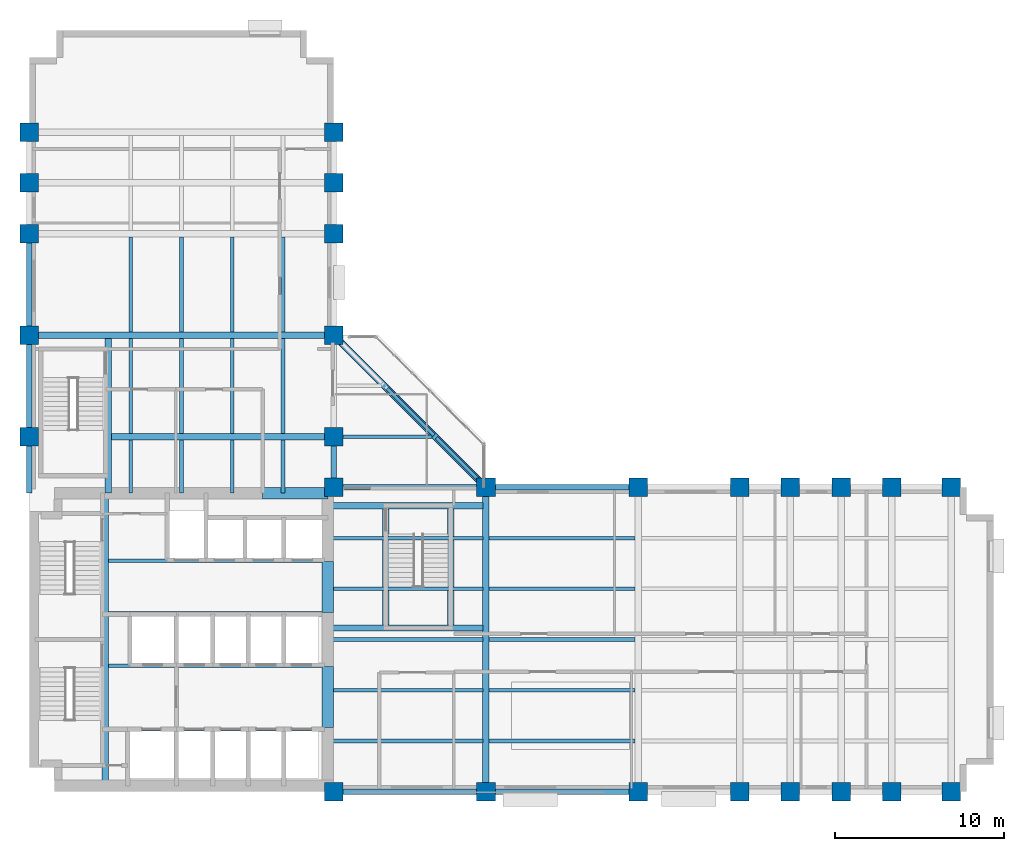
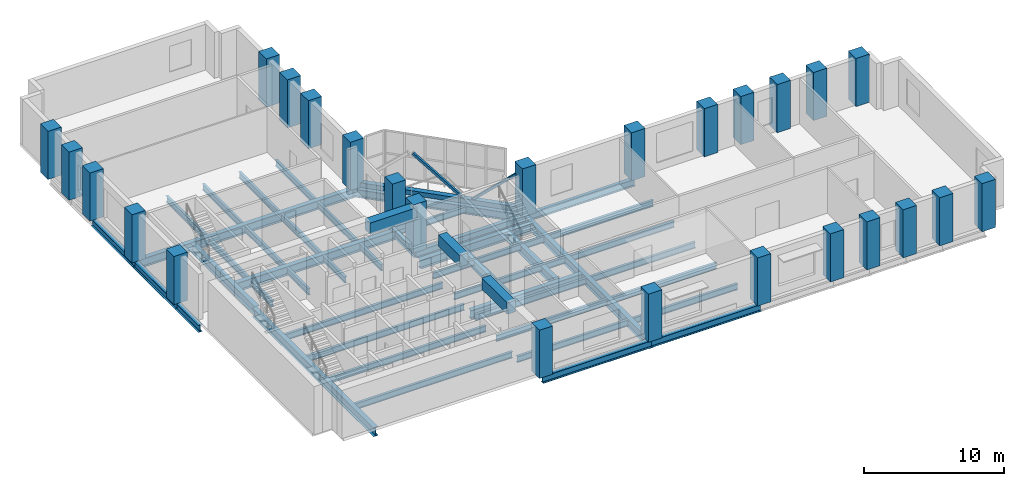
# One storey, part 1 of 10: 48 beams, 26 columns, 3 members.
"""IFC4 building model written with IfcOpenShell, lengths in metres."""

from ifc_helpers import new_model, si_unit, direction, frame, origin, origin_2d, place, context, subcontext, project, spatial, rectangle, hollow_rectangle, i_section, extrude, material, material_profile, profile_set, type_object, element, save


model = new_model("IFC4")

# Units and contexts
model_context = context("Model", 3, precision=1e-05, world=origin(), true_north=direction((0.0, 1.0)))
body_context = subcontext(model_context, "Body", "Model", "MODEL_VIEW")
ifc_project = project(units=[si_unit("LENGTHUNIT", "METRE"), si_unit("AREAUNIT", "SQUARE_METRE"), si_unit("VOLUMEUNIT", "CUBIC_METRE"), si_unit("PLANEANGLEUNIT", "RADIAN"), si_unit("MASSUNIT", "GRAM", prefix="KILO")], contexts=[model_context])

# Site, building, storey
site_placement = place(None, origin())
site = spatial("IfcSite", under=ifc_project, at=site_placement, CompositionType="ELEMENT")
building_placement = place(site_placement, origin())
building = spatial("IfcBuilding", under=site, at=building_placement, Name="Mawjdan Bourse Tower", CompositionType="ELEMENT")
storey_placement = place(building_placement, frame((0.0, 0.0, 89.10009765625)))
storey = spatial("IfcBuildingStorey", under=building, at=storey_placement, Name="L20", CompositionType="ELEMENT", Elevation=89.10009765625)

# Columns
ifc_material_1 = material(Name="Concrete C70/85", Category="concrete")
ifc_material_profile_1 = material_profile(ifc_material_1, rectangle(XDim=1.10009765625, YDim=1.10009765625, at=origin_2d()), Name="RC1100X1100")
ifc_profile_set_1 = profile_set([ifc_material_profile_1], Name="Concrete C70/85")
column_type = type_object("IfcColumnType", Name="COL-RC1100X1100", PredefinedType="COLUMN", material=ifc_profile_set_1)
for number, where, z_axis, x_axis, name in (
    (1, (24.0, 3.0, 0.0), (0.0, 0.0, 1.0), (1.0, 0.0, 0.0), "L20 Structural Column C-X240-Y30"),
    (2, (24.0, 21.0, 0.0), (0.0, 0.0, 1.0), (1.0, 0.0, 0.0), "L20 Structural Column C-X240-Y210"),
    (3, (33.0, 3.0, 0.0), (0.0, 0.0, 1.0), (1.0, 0.0, 0.0), "L20 Structural Column C-X330-Y30"),
    (4, (33.0, 21.0, 0.0), (0.0, 0.0, 1.0), (1.0, 0.0, 0.0), "L20 Structural Column C-X330-Y210"),
    (5, (42.0, 3.0, 0.0), (0.0, 0.0, 1.0), (1.0, 0.0, 0.0), "L20 Structural Column C-X420-Y30"),
    (6, (42.0, 21.0, 0.0), (0.0, 0.0, 1.0), (1.0, 0.0, 0.0), "L20 Structural Column C-X420-Y210"),
    (7, (48.0, 3.0, 0.0), (0.0, 0.0, 1.0), (1.0, 0.0, 0.0), "L20 Structural Column C-X480-Y30"),
    (8, (48.0, 21.0, 0.0), (0.0, 0.0, 1.0), (1.0, 0.0, 0.0), "L20 Structural Column C-X480-Y210"),
    (9, (51.0, 3.0, 0.0), (0.0, 0.0, 1.0), (1.0, 0.0, 0.0), "L20 Structural Column C-X510-Y30"),
    (10, (51.0, 21.0, 0.0), (0.0, 0.0, 1.0), (1.0, 0.0, 0.0), "L20 Structural Column C-X510-Y210"),
    (11, (54.0, 3.0, 0.0), (0.0, 0.0, 1.0), (1.0, 0.0, 0.0), "L20 Structural Column C-X540-Y30"),
    (12, (54.0, 21.0, 0.0), (0.0, 0.0, 1.0), (1.0, 0.0, 0.0), "L20 Structural Column C-X540-Y210"),
    (13, (57.0, 3.0, 0.0), (0.0, 0.0, 1.0), (1.0, 0.0, 0.0), "L20 Structural Column C-X570-Y30"),
    (14, (57.0, 21.0, 0.0), (0.0, 0.0, 1.0), (1.0, 0.0, 0.0), "L20 Structural Column C-X570-Y210"),
    (15, (60.5, 3.0, 0.0), (0.0, 0.0, 1.0), (1.0, 0.0, 0.0), "L20 Structural Column C-X605-Y30"),
    (16, (60.5, 21.0, 0.0), (0.0, 0.0, 1.0), (1.0, 0.0, 0.0), "L20 Structural Column C-X605-Y210"),
    (17, (6.0, 24.0, 0.0), (0.0, 0.0, 1.0), (1.0, 0.0, 0.0), "L20 Structural Column C-X60-Y240"),
    (18, (24.0, 24.0, 0.0), (0.0, 0.0, 1.0), (1.0, 0.0, 0.0), "L20 Structural Column C-X240-Y240"),
    (19, (6.0, 30.0, 0.0), (0.0, 0.0, 1.0), (1.0, 0.0, 0.0), "L20 Structural Column C-X60-Y300"),
    (20, (24.0, 30.0, 0.0), (0.0, 0.0, 1.0), (1.0, 0.0, 0.0), "L20 Structural Column C-X240-Y300"),
    (21, (6.0, 36.0, 0.0), (0.0, 0.0, 1.0), (1.0, 0.0, 0.0), "L20 Structural Column C-X60-Y360"),
    (22, (24.0, 36.0, 0.0), (0.0, 0.0, 1.0), (1.0, 0.0, 0.0), "L20 Structural Column C-X240-Y360"),
    (23, (6.0, 39.0, 0.0), (0.0, 0.0, 1.0), (1.0, 0.0, 0.0), "L20 Structural Column C-X60-Y390"),
    (24, (24.0, 39.0, 0.0), (0.0, 0.0, 1.0), (1.0, 0.0, 0.0), "L20 Structural Column C-X240-Y390"),
    (25, (6.0, 42.0, 0.0), (0.0, 0.0, 1.0), (1.0, 0.0, 0.0), "L20 Structural Column C-X60-Y420"),
    (26, (24.0, 42.0, 0.0), (0.0, 0.0, 1.0), (1.0, 0.0, 0.0), "L20 Structural Column C-X240-Y420"),
):
    element("IfcColumn", number, at=place(storey_placement, frame(where, z_axis=z_axis, x_axis=x_axis)), inside=storey, type_object=column_type, Name=name, PredefinedType="COLUMN", context=body_context, shape_type="SweptSolid", body=[
        extrude(rectangle(XDim=1.10009765625, YDim=1.10009765625, at=origin_2d()), origin(), (0.0, 0.0, 1.0), 4.199951171875),
    ])

# Members
ifc_material_2 = material(Name="Structural Steel S355", Category="steel")
ifc_material_profile_2 = material_profile(ifc_material_2, hollow_rectangle(XDim=0.199951171875, YDim=0.199951171875, WallThickness=0.010009765625, at=origin_2d()), Name="HSS200X200X10")
ifc_profile_set_2 = profile_set([ifc_material_profile_2], Name="Structural Steel S355")
member_type_1 = type_object("IfcMemberType", Name="BRC-HSS200X200X10", PredefinedType="BRACE", material=ifc_profile_set_2)
for number, where, z_axis, x_axis, name in (
    (27, (27.1201171875, 26.8798828125, 3.5498046875), (0.536568841255, -0.536568841255, -0.651296980791), (0.707106781187, 0.707106781187, 0.0), "L20 Atrium Sky Bridge Truss Diagonal 2"),
    (28, (30.1201171875, 23.8798828125, 0.199951171875), (0.536568841255, -0.536568841255, 0.651296980791), (0.707106781187, 0.707106781187, 0.0), "L20 Atrium Sky Bridge Truss Diagonal 3"),
):
    element("IfcMember", number, at=place(storey_placement, frame(where, z_axis=z_axis, x_axis=x_axis)), inside=storey, type_object=member_type_1, Name=name, PredefinedType="BRACE", context=body_context, shape_type="SweptSolid", body=[
        extrude(hollow_rectangle(XDim=0.199951171875, YDim=0.199951171875, WallThickness=0.010009765625, at=origin_2d()), origin(), (0.0, 0.0, 1.0), 5.143310546875),
    ])

# Beam
ifc_material_profile_3 = material_profile(ifc_material_2, i_section(OverallWidth=0.35498046875, OverallDepth=0.696044921875, WebThickness=0.015380859375, FlangeThickness=0.02490234375, FilletRadius=0.019775390625, at=origin_2d()), Name="W27X146")
ifc_profile_set_3 = profile_set([ifc_material_profile_3], Name="Structural Steel S355")
beam_type_1 = type_object("IfcBeamType", Name="BRG-GRD-W27X146", PredefinedType="BEAM", material=ifc_profile_set_3)
beam_1_placement = place(storey_placement, frame((24.0, 30.0, -0.59814453125), z_axis=(0.707106781187, -0.707106781187, 0.0), x_axis=(0.707106781187, 0.707106781187, 0.0)))
element("IfcBeam", 29, at=beam_1_placement, inside=storey, type_object=beam_type_1, Name="L20 Atrium Sky Bridge Diagonal Girder 102", PredefinedType="BEAM", context=body_context, shape_type="SweptSolid", body=[
    extrude(i_section(OverallWidth=0.35498046875, OverallDepth=0.696044921875, WebThickness=0.015380859375, FlangeThickness=0.02490234375, FilletRadius=0.019775390625, at=origin_2d()), origin(), (0.0, 0.0, 1.0), 12.72802734375),
])

# Member
ifc_material_3 = material(Name="Structural Steel S460", Category="steel")
ifc_material_profile_4 = material_profile(ifc_material_3, hollow_rectangle(XDim=0.39990234375, YDim=0.39990234375, WallThickness=0.01611328125, at=origin_2d()), Name="HSS400X400X16")
ifc_profile_set_4 = profile_set([ifc_material_profile_4], Name="Structural Steel S460")
member_type_2 = type_object("IfcMemberType", Name="CHD-HSS400X400X16", PredefinedType="CHORD", material=ifc_profile_set_4)
member_placement = place(storey_placement, frame((24.0, 30.0, 0.199951171875), z_axis=(0.707106781187, -0.707106781187, 0.0), x_axis=(0.707106781187, 0.707106781187, 0.0)))
element("IfcMember", 30, at=member_placement, inside=storey, type_object=member_type_2, Name="L20 Atrium Sky Bridge Truss Bottom Chord", PredefinedType="CHORD", context=body_context, shape_type="SweptSolid", body=[
    extrude(hollow_rectangle(XDim=0.39990234375, YDim=0.39990234375, WallThickness=0.01611328125, at=origin_2d()), origin(), (0.0, 0.0, 1.0), 12.72802734375),
])

# Beams
ifc_material_profile_5 = material_profile(ifc_material_2, i_section(OverallWidth=0.381103515625, OverallDepth=0.77294921875, WebThickness=0.0166015625, FlangeThickness=0.027099609375, FilletRadius=0.021728515625, at=origin_2d()), Name="W30X173")
ifc_profile_set_5 = profile_set([ifc_material_profile_5], Name="Structural Steel S355")
beam_type_2 = type_object("IfcBeamType", Name="GRD-W30X173", PredefinedType="BEAM", material=ifc_profile_set_5)
beam_2_placement = place(storey_placement, frame((10.47998046875, 3.35009765625, -0.63671875), z_axis=(0.0, 1.0, 0.0), x_axis=(-1.0, 0.0, 0.0)))
element("IfcBeam", 31, at=beam_2_placement, inside=storey, type_object=beam_type_2, Name="L20 Core Stair Trimmer Girder 001", PredefinedType="BEAM", context=body_context, shape_type="SweptSolid", body=[
    extrude(i_section(OverallWidth=0.381103515625, OverallDepth=0.77294921875, WebThickness=0.0166015625, FlangeThickness=0.027099609375, FilletRadius=0.021728515625, at=origin_2d()), origin(), (0.0, 0.0, 1.0), 17.2998046875),
])
beam_3_placement = place(storey_placement, frame((33.0, 3.0, -0.63671875), z_axis=(0.0, 1.0, 0.0), x_axis=(-1.0, 0.0, 0.0)))
element("IfcBeam", 32, at=beam_3_placement, inside=storey, type_object=beam_type_2, Name="L20 East Wing Clear-Span Girder 002", PredefinedType="BEAM", context=body_context, shape_type="SweptSolid", body=[
    extrude(i_section(OverallWidth=0.381103515625, OverallDepth=0.77294921875, WebThickness=0.0166015625, FlangeThickness=0.027099609375, FilletRadius=0.021728515625, at=origin_2d()), origin(), (0.0, 0.0, 1.0), 18.0),
])
for number, where, z_axis, x_axis, name in (
    (33, (23.64990234375, 12.679931640625, -0.63671875), (1.0, 0.0, 0.0), (0.0, 1.0, 0.0), "L20 Feature Stair South Trimmer 058"),
    (34, (23.64990234375, 19.919921875, -0.63671875), (1.0, 0.0, 0.0), (0.0, 1.0, 0.0), "L20 Feature Stair North Trimmer 059"),
):
    element("IfcBeam", number, at=place(storey_placement, frame(where, z_axis=z_axis, x_axis=x_axis)), inside=storey, type_object=beam_type_2, Name=name, PredefinedType="BEAM", context=body_context, shape_type="SweptSolid", body=[
        extrude(i_section(OverallWidth=0.381103515625, OverallDepth=0.77294921875, WebThickness=0.0166015625, FlangeThickness=0.027099609375, FilletRadius=0.021728515625, at=origin_2d()), origin(), (0.0, 0.0, 1.0), 9.16162109375),
    ])
for number, where, z_axis, x_axis, name in (
    (35, (27.080078125, 12.868408203125, -0.63671875), (0.0, 1.0, 0.0), (-1.0, 0.0, 0.0), "L20 Feature Stair West Trimmer 060"),
    (36, (30.919921875, 12.868408203125, -0.63671875), (0.0, 1.0, 0.0), (-1.0, 0.0, 0.0), "L20 Feature Stair East Trimmer 061"),
):
    element("IfcBeam", number, at=place(storey_placement, frame(where, z_axis=z_axis, x_axis=x_axis)), inside=storey, type_object=beam_type_2, Name=name, PredefinedType="BEAM", context=body_context, shape_type="SweptSolid", body=[
        extrude(i_section(OverallWidth=0.381103515625, OverallDepth=0.77294921875, WebThickness=0.0166015625, FlangeThickness=0.027099609375, FilletRadius=0.021728515625, at=origin_2d()), origin(), (0.0, 0.0, 1.0), 6.863037109375),
    ])
beam_4_placement = place(storey_placement, frame((10.679931640625, 20.64990234375, -0.63671875), z_axis=(0.0, 1.0, 0.0), x_axis=(-1.0, 0.0, 0.0)))
element("IfcBeam", 37, at=beam_4_placement, inside=storey, type_object=beam_type_2, Name="L20 North Wing Stair Trimmer Girder 066", PredefinedType="BEAM", context=body_context, shape_type="SweptSolid", body=[
    extrude(i_section(OverallWidth=0.381103515625, OverallDepth=0.77294921875, WebThickness=0.0166015625, FlangeThickness=0.027099609375, FilletRadius=0.021728515625, at=origin_2d()), origin(), (0.0, 0.0, 1.0), 9.16162109375),
])
beam_5_placement = place(storey_placement, frame((10.868408203125, 24.0, -0.63671875), z_axis=(1.0, 0.0, 0.0), x_axis=(0.0, 1.0, 0.0)))
element("IfcBeam", 38, at=beam_5_placement, inside=storey, type_object=beam_type_2, Name="L20 North Wing Clear-Span Girder 067", PredefinedType="BEAM", context=body_context, shape_type="SweptSolid", body=[
    extrude(i_section(OverallWidth=0.381103515625, OverallDepth=0.77294921875, WebThickness=0.0166015625, FlangeThickness=0.027099609375, FilletRadius=0.021728515625, at=origin_2d()), origin(), (0.0, 0.0, 1.0), 13.131591796875),
])
beam_6_placement = place(storey_placement, frame((6.0, 30.0, -0.63671875), z_axis=(1.0, 0.0, 0.0), x_axis=(0.0, 1.0, 0.0)))
element("IfcBeam", 39, at=beam_6_placement, inside=storey, type_object=beam_type_2, Name="L20 North Wing Clear-Span Girder 068", PredefinedType="BEAM", context=body_context, shape_type="SweptSolid", body=[
    extrude(i_section(OverallWidth=0.381103515625, OverallDepth=0.77294921875, WebThickness=0.0166015625, FlangeThickness=0.027099609375, FilletRadius=0.021728515625, at=origin_2d()), origin(), (0.0, 0.0, 1.0), 18.0),
])
ifc_material_profile_6 = material_profile(ifc_material_2, i_section(OverallWidth=0.2099609375, OverallDepth=0.537109375, WebThickness=0.010986328125, FlangeThickness=0.017333984375, FilletRadius=0.013916015625, at=origin_2d()), Name="W21X68")
ifc_profile_set_6 = profile_set([ifc_material_profile_6], Name="Structural Steel S355")
beam_type_3 = type_object("IfcBeamType", Name="JST-W21X68", PredefinedType="JOIST", material=ifc_profile_set_6)
beam_7_placement = place(storey_placement, frame((23.64990234375, 6.0, -0.5185546875), z_axis=(1.0, 0.0, 0.0), x_axis=(0.0, 1.0, 0.0)))
element("IfcBeam", 40, at=beam_7_placement, inside=storey, type_object=beam_type_3, Name="L20 East Wing Composite Joist 023", PredefinedType="JOIST", context=body_context, shape_type="SweptSolid", body=[
    extrude(i_section(OverallWidth=0.2099609375, OverallDepth=0.537109375, WebThickness=0.010986328125, FlangeThickness=0.017333984375, FilletRadius=0.013916015625, at=origin_2d()), origin(), (0.0, 0.0, 1.0), 9.16162109375),
])
beam_8_placement = place(storey_placement, frame((33.1884765625, 6.0, -0.5185546875), z_axis=(1.0, 0.0, 0.0), x_axis=(0.0, 1.0, 0.0)))
element("IfcBeam", 41, at=beam_8_placement, inside=storey, type_object=beam_type_3, Name="L20 East Wing Composite Joist 024", PredefinedType="JOIST", context=body_context, shape_type="SweptSolid", body=[
    extrude(i_section(OverallWidth=0.2099609375, OverallDepth=0.537109375, WebThickness=0.010986328125, FlangeThickness=0.017333984375, FilletRadius=0.013916015625, at=origin_2d()), origin(), (0.0, 0.0, 1.0), 8.623046875),
])
beam_9_placement = place(storey_placement, frame((23.64990234375, 9.0, -0.5185546875), z_axis=(1.0, 0.0, 0.0), x_axis=(0.0, 1.0, 0.0)))
element("IfcBeam", 42, at=beam_9_placement, inside=storey, type_object=beam_type_3, Name="L20 East Wing Composite Joist 030", PredefinedType="JOIST", context=body_context, shape_type="SweptSolid", body=[
    extrude(i_section(OverallWidth=0.2099609375, OverallDepth=0.537109375, WebThickness=0.010986328125, FlangeThickness=0.017333984375, FilletRadius=0.013916015625, at=origin_2d()), origin(), (0.0, 0.0, 1.0), 9.16162109375),
])
beam_10_placement = place(storey_placement, frame((33.1884765625, 9.0, -0.5185546875), z_axis=(1.0, 0.0, 0.0), x_axis=(0.0, 1.0, 0.0)))
element("IfcBeam", 43, at=beam_10_placement, inside=storey, type_object=beam_type_3, Name="L20 East Wing Composite Joist 031", PredefinedType="JOIST", context=body_context, shape_type="SweptSolid", body=[
    extrude(i_section(OverallWidth=0.2099609375, OverallDepth=0.537109375, WebThickness=0.010986328125, FlangeThickness=0.017333984375, FilletRadius=0.013916015625, at=origin_2d()), origin(), (0.0, 0.0, 1.0), 8.623046875),
])
beam_11_placement = place(storey_placement, frame((23.64990234375, 12.0, -0.5185546875), z_axis=(1.0, 0.0, 0.0), x_axis=(0.0, 1.0, 0.0)))
element("IfcBeam", 44, at=beam_11_placement, inside=storey, type_object=beam_type_3, Name="L20 East Wing Composite Joist 037", PredefinedType="JOIST", context=body_context, shape_type="SweptSolid", body=[
    extrude(i_section(OverallWidth=0.2099609375, OverallDepth=0.537109375, WebThickness=0.010986328125, FlangeThickness=0.017333984375, FilletRadius=0.013916015625, at=origin_2d()), origin(), (0.0, 0.0, 1.0), 9.16162109375),
])
beam_12_placement = place(storey_placement, frame((33.1884765625, 12.0, -0.5185546875), z_axis=(1.0, 0.0, 0.0), x_axis=(0.0, 1.0, 0.0)))
element("IfcBeam", 45, at=beam_12_placement, inside=storey, type_object=beam_type_3, Name="L20 East Wing Composite Joist 038", PredefinedType="JOIST", context=body_context, shape_type="SweptSolid", body=[
    extrude(i_section(OverallWidth=0.2099609375, OverallDepth=0.537109375, WebThickness=0.010986328125, FlangeThickness=0.017333984375, FilletRadius=0.013916015625, at=origin_2d()), origin(), (0.0, 0.0, 1.0), 8.623046875),
])
beam_13_placement = place(storey_placement, frame((23.64990234375, 15.0, -0.5185546875), z_axis=(1.0, 0.0, 0.0), x_axis=(0.0, 1.0, 0.0)))
element("IfcBeam", 46, at=beam_13_placement, inside=storey, type_object=beam_type_3, Name="L20 East Wing Composite Joist 044", PredefinedType="JOIST", context=body_context, shape_type="SweptSolid", body=[
    extrude(i_section(OverallWidth=0.2099609375, OverallDepth=0.537109375, WebThickness=0.010986328125, FlangeThickness=0.017333984375, FilletRadius=0.013916015625, at=origin_2d()), origin(), (0.0, 0.0, 1.0), 9.16162109375),
])
beam_14_placement = place(storey_placement, frame((33.1884765625, 15.0, -0.5185546875), z_axis=(1.0, 0.0, 0.0), x_axis=(0.0, 1.0, 0.0)))
element("IfcBeam", 47, at=beam_14_placement, inside=storey, type_object=beam_type_3, Name="L20 East Wing Composite Joist 045", PredefinedType="JOIST", context=body_context, shape_type="SweptSolid", body=[
    extrude(i_section(OverallWidth=0.2099609375, OverallDepth=0.537109375, WebThickness=0.010986328125, FlangeThickness=0.017333984375, FilletRadius=0.013916015625, at=origin_2d()), origin(), (0.0, 0.0, 1.0), 8.623046875),
])
beam_15_placement = place(storey_placement, frame((23.64990234375, 18.0, -0.5185546875), z_axis=(1.0, 0.0, 0.0), x_axis=(0.0, 1.0, 0.0)))
element("IfcBeam", 48, at=beam_15_placement, inside=storey, type_object=beam_type_3, Name="L20 East Wing Composite Joist 051", PredefinedType="JOIST", context=body_context, shape_type="SweptSolid", body=[
    extrude(i_section(OverallWidth=0.2099609375, OverallDepth=0.537109375, WebThickness=0.010986328125, FlangeThickness=0.017333984375, FilletRadius=0.013916015625, at=origin_2d()), origin(), (0.0, 0.0, 1.0), 9.16162109375),
])
beam_16_placement = place(storey_placement, frame((33.1884765625, 18.0, -0.5185546875), z_axis=(1.0, 0.0, 0.0), x_axis=(0.0, 1.0, 0.0)))
element("IfcBeam", 49, at=beam_16_placement, inside=storey, type_object=beam_type_3, Name="L20 East Wing Composite Joist 052", PredefinedType="JOIST", context=body_context, shape_type="SweptSolid", body=[
    extrude(i_section(OverallWidth=0.2099609375, OverallDepth=0.537109375, WebThickness=0.010986328125, FlangeThickness=0.017333984375, FilletRadius=0.013916015625, at=origin_2d()), origin(), (0.0, 0.0, 1.0), 8.623046875),
])
for number, where, z_axis, x_axis, name in (
    (50, (10.66845703125, 6.699951171875, -0.5185546875), (1.0, 0.0, 0.0), (0.0, 1.0, 0.0), "L20 Core Floor Joist 062"),
    (51, (10.66845703125, 10.449951171875, -0.5185546875), (1.0, 0.0, 0.0), (0.0, 1.0, 0.0), "L20 Core Floor Joist 063"),
    (52, (10.66845703125, 13.550048828125, -0.5185546875), (1.0, 0.0, 0.0), (0.0, 1.0, 0.0), "L20 Core Floor Joist 064"),
    (53, (10.66845703125, 16.64990234375, -0.5185546875), (1.0, 0.0, 0.0), (0.0, 1.0, 0.0), "L20 Core Floor Joist 065"),
):
    element("IfcBeam", number, at=place(storey_placement, frame(where, z_axis=z_axis, x_axis=x_axis)), inside=storey, type_object=beam_type_3, Name=name, PredefinedType="JOIST", context=body_context, shape_type="SweptSolid", body=[
        extrude(i_section(OverallWidth=0.2099609375, OverallDepth=0.537109375, WebThickness=0.010986328125, FlangeThickness=0.017333984375, FilletRadius=0.013916015625, at=origin_2d()), origin(), (0.0, 0.0, 1.0), 12.9814453125),
    ])
beam_17_placement = place(storey_placement, frame((12.0, 20.64990234375, -0.5185546875), z_axis=(0.0, 1.0, 0.0), x_axis=(-1.0, 0.0, 0.0)))
element("IfcBeam", 54, at=beam_17_placement, inside=storey, type_object=beam_type_3, Name="L20 North Wing Composite Joist 082", PredefinedType="JOIST", context=body_context, shape_type="SweptSolid", body=[
    extrude(i_section(OverallWidth=0.2099609375, OverallDepth=0.537109375, WebThickness=0.010986328125, FlangeThickness=0.017333984375, FilletRadius=0.013916015625, at=origin_2d()), origin(), (0.0, 0.0, 1.0), 3.16162109375),
])
for number, where, z_axis, x_axis, name in (
    (55, (12.0, 24.1884765625, -0.5185546875), (0.0, 1.0, 0.0), (-1.0, 0.0, 0.0), "L20 North Wing Composite Joist 083"),
    (56, (12.0, 30.1884765625, -0.5185546875), (0.0, 1.0, 0.0), (-1.0, 0.0, 0.0), "L20 North Wing Composite Joist 084"),
):
    element("IfcBeam", number, at=place(storey_placement, frame(where, z_axis=z_axis, x_axis=x_axis)), inside=storey, type_object=beam_type_3, Name=name, PredefinedType="JOIST", context=body_context, shape_type="SweptSolid", body=[
        extrude(i_section(OverallWidth=0.2099609375, OverallDepth=0.537109375, WebThickness=0.010986328125, FlangeThickness=0.017333984375, FilletRadius=0.013916015625, at=origin_2d()), origin(), (0.0, 0.0, 1.0), 5.623046875),
    ])
beam_18_placement = place(storey_placement, frame((15.0, 20.64990234375, -0.5185546875), z_axis=(0.0, 1.0, 0.0), x_axis=(-1.0, 0.0, 0.0)))
element("IfcBeam", 57, at=beam_18_placement, inside=storey, type_object=beam_type_3, Name="L20 North Wing Composite Joist 087", PredefinedType="JOIST", context=body_context, shape_type="SweptSolid", body=[
    extrude(i_section(OverallWidth=0.2099609375, OverallDepth=0.537109375, WebThickness=0.010986328125, FlangeThickness=0.017333984375, FilletRadius=0.013916015625, at=origin_2d()), origin(), (0.0, 0.0, 1.0), 3.16162109375),
])
for number, where, z_axis, x_axis, name in (
    (58, (15.0, 24.1884765625, -0.5185546875), (0.0, 1.0, 0.0), (-1.0, 0.0, 0.0), "L20 North Wing Composite Joist 088"),
    (59, (15.0, 30.1884765625, -0.5185546875), (0.0, 1.0, 0.0), (-1.0, 0.0, 0.0), "L20 North Wing Composite Joist 089"),
):
    element("IfcBeam", number, at=place(storey_placement, frame(where, z_axis=z_axis, x_axis=x_axis)), inside=storey, type_object=beam_type_3, Name=name, PredefinedType="JOIST", context=body_context, shape_type="SweptSolid", body=[
        extrude(i_section(OverallWidth=0.2099609375, OverallDepth=0.537109375, WebThickness=0.010986328125, FlangeThickness=0.017333984375, FilletRadius=0.013916015625, at=origin_2d()), origin(), (0.0, 0.0, 1.0), 5.623046875),
    ])
beam_19_placement = place(storey_placement, frame((18.0, 20.64990234375, -0.5185546875), z_axis=(0.0, 1.0, 0.0), x_axis=(-1.0, 0.0, 0.0)))
element("IfcBeam", 60, at=beam_19_placement, inside=storey, type_object=beam_type_3, Name="L20 North Wing Composite Joist 092", PredefinedType="JOIST", context=body_context, shape_type="SweptSolid", body=[
    extrude(i_section(OverallWidth=0.2099609375, OverallDepth=0.537109375, WebThickness=0.010986328125, FlangeThickness=0.017333984375, FilletRadius=0.013916015625, at=origin_2d()), origin(), (0.0, 0.0, 1.0), 3.16162109375),
])
for number, where, z_axis, x_axis, name in (
    (61, (18.0, 24.1884765625, -0.5185546875), (0.0, 1.0, 0.0), (-1.0, 0.0, 0.0), "L20 North Wing Composite Joist 093"),
    (62, (18.0, 30.1884765625, -0.5185546875), (0.0, 1.0, 0.0), (-1.0, 0.0, 0.0), "L20 North Wing Composite Joist 094"),
):
    element("IfcBeam", number, at=place(storey_placement, frame(where, z_axis=z_axis, x_axis=x_axis)), inside=storey, type_object=beam_type_3, Name=name, PredefinedType="JOIST", context=body_context, shape_type="SweptSolid", body=[
        extrude(i_section(OverallWidth=0.2099609375, OverallDepth=0.537109375, WebThickness=0.010986328125, FlangeThickness=0.017333984375, FilletRadius=0.013916015625, at=origin_2d()), origin(), (0.0, 0.0, 1.0), 5.623046875),
    ])
beam_20_placement = place(storey_placement, frame((21.0, 20.64990234375, -0.5185546875), z_axis=(0.0, 1.0, 0.0), x_axis=(-1.0, 0.0, 0.0)))
element("IfcBeam", 63, at=beam_20_placement, inside=storey, type_object=beam_type_3, Name="L20 North Wing Composite Joist 097", PredefinedType="JOIST", context=body_context, shape_type="SweptSolid", body=[
    extrude(i_section(OverallWidth=0.2099609375, OverallDepth=0.537109375, WebThickness=0.010986328125, FlangeThickness=0.017333984375, FilletRadius=0.013916015625, at=origin_2d()), origin(), (0.0, 0.0, 1.0), 3.16162109375),
])
for number, where, z_axis, x_axis, name in (
    (64, (21.0, 24.1884765625, -0.5185546875), (0.0, 1.0, 0.0), (-1.0, 0.0, 0.0), "L20 North Wing Composite Joist 098"),
    (65, (21.0, 30.1884765625, -0.5185546875), (0.0, 1.0, 0.0), (-1.0, 0.0, 0.0), "L20 North Wing Composite Joist 099"),
):
    element("IfcBeam", number, at=place(storey_placement, frame(where, z_axis=z_axis, x_axis=x_axis)), inside=storey, type_object=beam_type_3, Name=name, PredefinedType="JOIST", context=body_context, shape_type="SweptSolid", body=[
        extrude(i_section(OverallWidth=0.2099609375, OverallDepth=0.537109375, WebThickness=0.010986328125, FlangeThickness=0.017333984375, FilletRadius=0.013916015625, at=origin_2d()), origin(), (0.0, 0.0, 1.0), 5.623046875),
    ])
beam_21_placement = place(storey_placement, frame((24.160400390625, 24.0, -0.5185546875), z_axis=(1.0, 0.0, 0.0), x_axis=(0.0, 1.0, 0.0)))
element("IfcBeam", 66, at=beam_21_placement, inside=storey, type_object=beam_type_3, Name="L20 Atrium Sky Bridge Deck Joist 103", PredefinedType="JOIST", context=body_context, shape_type="SweptSolid", body=[
    extrude(i_section(OverallWidth=0.2099609375, OverallDepth=0.537109375, WebThickness=0.010986328125, FlangeThickness=0.017333984375, FilletRadius=0.013916015625, at=origin_2d()), origin(), (0.0, 0.0, 1.0), 5.6640625),
])
ifc_material_profile_7 = material_profile(ifc_material_1, rectangle(XDim=0.699951171875, YDim=1.0, at=origin_2d()), Name="RCB700X1000")
ifc_profile_set_7 = profile_set([ifc_material_profile_7], Name="Concrete C70/85")
beam_type_4 = type_object("IfcBeamType", Name="LNT-RCB700X1000", PredefinedType="LINTEL", material=ifc_profile_set_7)
beam_22_placement = place(storey_placement, frame((23.64990234375, 6.800048828125, 3.5), z_axis=(0.0, 1.0, 0.0), x_axis=(-1.0, 0.0, 0.0)))
element("IfcBeam", 67, at=beam_22_placement, inside=storey, type_object=beam_type_4, Name="L20 Coupled Core Lintel CB-E1", PredefinedType="LINTEL", context=body_context, shape_type="SweptSolid", body=[
    extrude(rectangle(XDim=0.699951171875, YDim=1.0, at=origin_2d()), origin(), (0.0, 0.0, 1.0), 3.599853515625),
])
beam_23_placement = place(storey_placement, frame((23.64990234375, 13.60009765625, 3.5), z_axis=(0.0, 1.0, 0.0), x_axis=(-1.0, 0.0, 0.0)))
element("IfcBeam", 68, at=beam_23_placement, inside=storey, type_object=beam_type_4, Name="L20 Coupled Core Lintel CB-E2", PredefinedType="LINTEL", context=body_context, shape_type="SweptSolid", body=[
    extrude(rectangle(XDim=0.699951171875, YDim=1.0, at=origin_2d()), origin(), (0.0, 0.0, 1.0), 3.0),
])
beam_24_placement = place(storey_placement, frame((19.800048828125, 20.64990234375, 3.5), z_axis=(1.0, 0.0, 0.0), x_axis=(0.0, 1.0, 0.0)))
element("IfcBeam", 69, at=beam_24_placement, inside=storey, type_object=beam_type_4, Name="L20 Coupled Core Lintel CB-N1", PredefinedType="LINTEL", context=body_context, shape_type="SweptSolid", body=[
    extrude(rectangle(XDim=0.699951171875, YDim=1.0, at=origin_2d()), origin(), (0.0, 0.0, 1.0), 3.849853515625),
])
ifc_material_profile_8 = material_profile(ifc_material_2, i_section(OverallWidth=0.324951171875, OverallDepth=0.616943359375, WebThickness=0.013916015625, FlangeThickness=0.021484375, FilletRadius=0.017333984375, at=origin_2d()), Name="W24X117")
ifc_profile_set_8 = profile_set([ifc_material_profile_8], Name="Structural Steel S355")
beam_type_5 = type_object("IfcBeamType", Name="SPN-W24X117", PredefinedType="SPANDREL", material=ifc_profile_set_8)
for number, where, z_axis, x_axis, name in (
    (70, (24.0, 3.0, -0.55859375), (1.0, 0.0, 0.0), (0.0, 1.0, 0.0), "L20 Perimeter Masonry-Shelf Spandrel 009"),
    (71, (33.0, 3.0, -0.55859375), (1.0, 0.0, 0.0), (0.0, 1.0, 0.0), "L20 Perimeter Masonry-Shelf Spandrel 010"),
    (72, (24.0, 21.0, -0.55859375), (1.0, 0.0, 0.0), (0.0, 1.0, 0.0), "L20 Sky Bridge Interface Spandrel 016"),
    (73, (33.0, 21.0, -0.55859375), (1.0, 0.0, 0.0), (0.0, 1.0, 0.0), "L20 Sky Bridge Interface Spandrel 017"),
):
    element("IfcBeam", number, at=place(storey_placement, frame(where, z_axis=z_axis, x_axis=x_axis)), inside=storey, type_object=beam_type_5, Name=name, PredefinedType="SPANDREL", context=body_context, shape_type="SweptSolid", body=[
        extrude(i_section(OverallWidth=0.324951171875, OverallDepth=0.616943359375, WebThickness=0.013916015625, FlangeThickness=0.021484375, FilletRadius=0.017333984375, at=origin_2d()), origin(), (0.0, 0.0, 1.0), 9.0),
    ])
beam_25_placement = place(storey_placement, frame((6.0, 20.64990234375, -0.55859375), z_axis=(0.0, 1.0, 0.0), x_axis=(-1.0, 0.0, 0.0)))
element("IfcBeam", 74, at=beam_25_placement, inside=storey, type_object=beam_type_5, Name="L20 North Wing Spandrel 072", PredefinedType="SPANDREL", context=body_context, shape_type="SweptSolid", body=[
    extrude(i_section(OverallWidth=0.324951171875, OverallDepth=0.616943359375, WebThickness=0.013916015625, FlangeThickness=0.021484375, FilletRadius=0.017333984375, at=origin_2d()), origin(), (0.0, 0.0, 1.0), 3.35009765625),
])
for number, where, z_axis, x_axis, name in (
    (75, (6.0, 24.0, -0.55859375), (0.0, 1.0, 0.0), (-1.0, 0.0, 0.0), "L20 North Wing Spandrel 073"),
    (76, (6.0, 30.0, -0.55859375), (0.0, 1.0, 0.0), (-1.0, 0.0, 0.0), "L20 North Wing Spandrel 074"),
):
    element("IfcBeam", number, at=place(storey_placement, frame(where, z_axis=z_axis, x_axis=x_axis)), inside=storey, type_object=beam_type_5, Name=name, PredefinedType="SPANDREL", context=body_context, shape_type="SweptSolid", body=[
        extrude(i_section(OverallWidth=0.324951171875, OverallDepth=0.616943359375, WebThickness=0.013916015625, FlangeThickness=0.021484375, FilletRadius=0.017333984375, at=origin_2d()), origin(), (0.0, 0.0, 1.0), 6.0),
    ])
beam_26_placement = place(storey_placement, frame((24.0, 21.0, -0.55859375), z_axis=(0.0, 1.0, 0.0), x_axis=(-1.0, 0.0, 0.0)))
element("IfcBeam", 77, at=beam_26_placement, inside=storey, type_object=beam_type_5, Name="L20 Sky Bridge West Interface Spandrel 077", PredefinedType="SPANDREL", context=body_context, shape_type="SweptSolid", body=[
    extrude(i_section(OverallWidth=0.324951171875, OverallDepth=0.616943359375, WebThickness=0.013916015625, FlangeThickness=0.021484375, FilletRadius=0.017333984375, at=origin_2d()), origin(), (0.0, 0.0, 1.0), 3.0),
])

save(model, "model.ifc")
